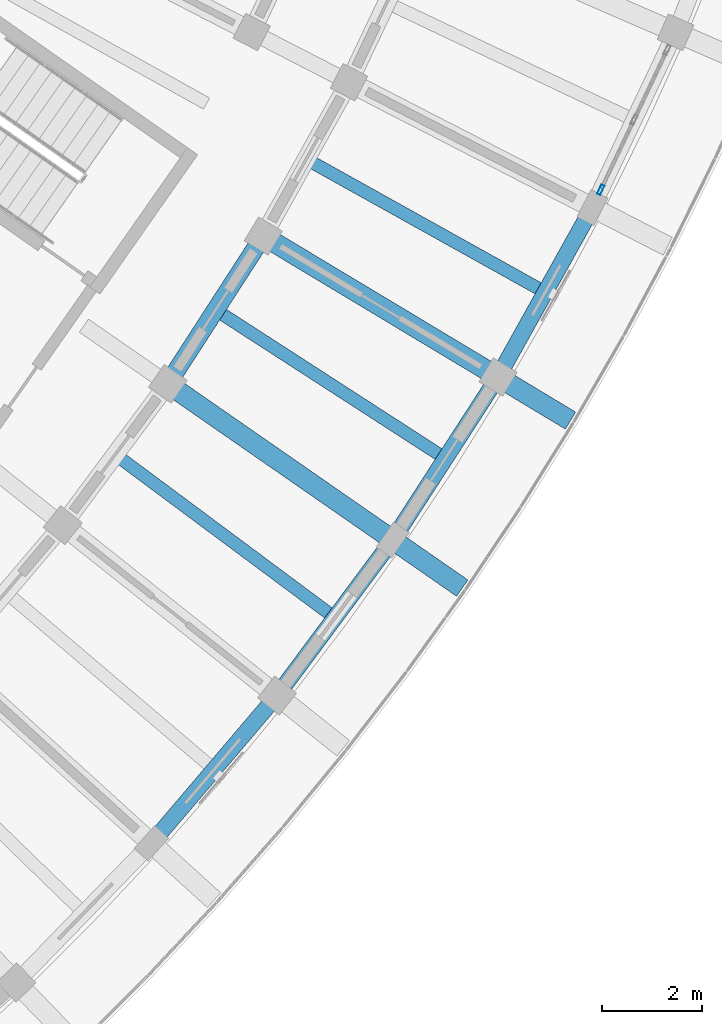
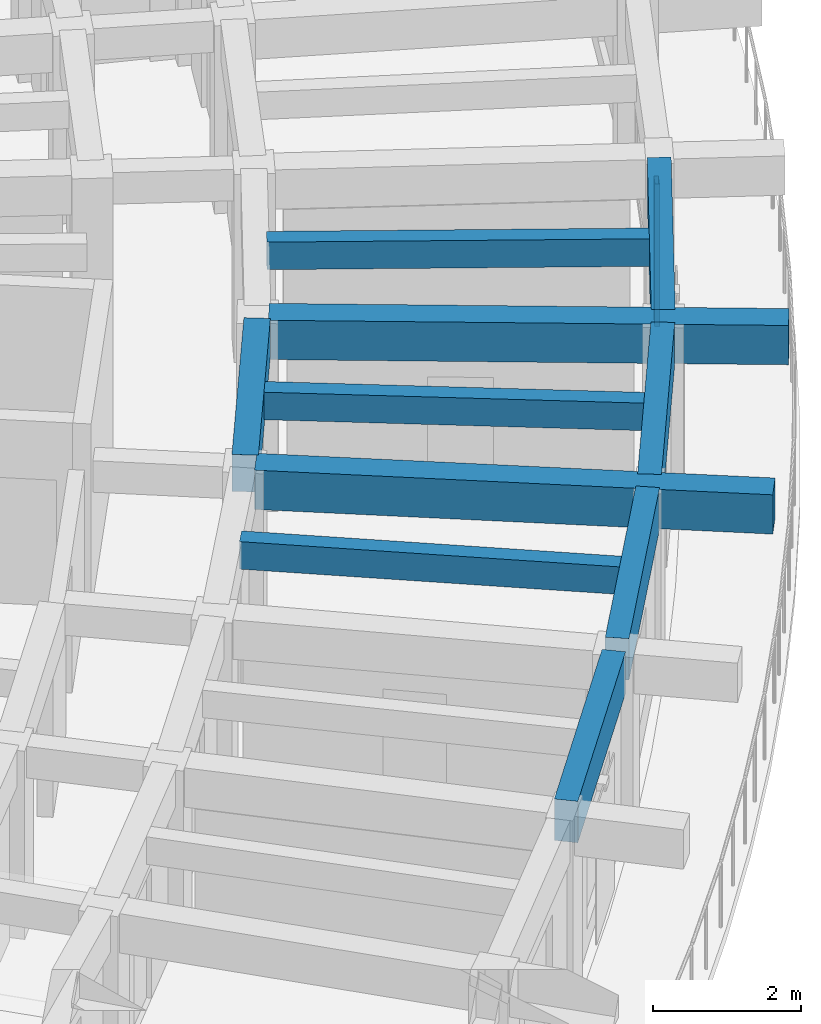
# One storey, part 21 of 81: 10 beams, 1 member, 1 element without a shape of its own.
"""IFC4 building model written with IfcOpenShell, lengths in metres."""

from ifc_helpers import new_model, si_unit, direction, frame, origin, origin_2d, place, context, subcontext, project, spatial, rectangle, hollow_rectangle, extrude, material, material_profile, profile_set, type_object, element, aggregate, save


model = new_model("IFC4")

# Units and contexts
model_context = context("Model", 3, precision=1e-05, world=origin(), true_north=direction((0.0, 1.0)))
body_context = subcontext(model_context, "Body", "Model", "MODEL_VIEW")
ifc_project = project(units=[si_unit("LENGTHUNIT", "METRE"), si_unit("AREAUNIT", "SQUARE_METRE"), si_unit("VOLUMEUNIT", "CUBIC_METRE"), si_unit("PLANEANGLEUNIT", "RADIAN"), si_unit("MASSUNIT", "GRAM", prefix="KILO")], contexts=[model_context])

# Site, building, storey
site_placement = place(None, origin())
site = spatial("IfcSite", under=ifc_project, at=site_placement, CompositionType="ELEMENT")
building_placement = place(site_placement, origin())
building = spatial("IfcBuilding", under=site, at=building_placement, Name="Tanwirah Colonnade Gardens", CompositionType="ELEMENT")
storey_placement = place(building_placement, frame((0.0, 0.0, 18.919921875)))
storey = spatial("IfcBuildingStorey", under=building, at=storey_placement, Name="L05", CompositionType="ELEMENT", Elevation=18.919921875)

# Beams
ifc_material_1 = material(Name="Precast concrete C40/50", Category="concrete")
ifc_material_profile_1 = material_profile(ifc_material_1, rectangle(XDim=0.360107421875, YDim=0.610107421875, at=origin_2d()), Name="PC-BM 360x610")
ifc_profile_set_1 = profile_set([ifc_material_profile_1], Name="Precast concrete C40/50")
beam_type_1 = type_object("IfcBeamType", Name="BM-PC300", PredefinedType="BEAM", material=ifc_profile_set_1)
beam_1_placement = place(storey_placement, frame((165.491455078125, 33.817626953125, 2.80517578125), z_axis=(0.542825891173, 0.839845254718, 0.0), x_axis=(-0.839845254718, 0.542825891173, 0.0)))
element("IfcBeam", 1, at=beam_1_placement, inside=storey, type_object=beam_type_1, Name="Block D L05 Circumferential Beam 11-R2", PredefinedType="BEAM", context=body_context, shape_type="SweptSolid", body=[
    extrude(rectangle(XDim=0.360107421875, YDim=0.610107421875, at=origin_2d()), origin(), (0.0, 0.0, 1.0), 3.23681640625),
])
ifc_material_2 = material(Name="Precast concrete C45/55", Category="concrete")
ifc_material_profile_2 = material_profile(ifc_material_2, rectangle(XDim=0.39990234375, YDim=0.64990234375, at=origin_2d()), Name="PC-BM 400x650")
ifc_profile_set_2 = profile_set([ifc_material_profile_2], Name="Precast concrete C45/55")
beam_type_2 = type_object("IfcBeamType", Name="BM-PC400", PredefinedType="BEAM", material=ifc_profile_set_2)
for number, where, z_axis, x_axis, name in (
    (2, (165.533203125, 33.606201171875, 2.78515625), (0.821647028495, -0.569996632066, 0.0), (0.569996632066, 0.821647028495, 0.0), "Block D L05 Outer Radial Precast Girder 11"),
    (3, (167.45849609375, 36.5849609375, 2.78515625), (0.857159687729, -0.515050744812, 0.0), (0.515050744812, 0.857159687729, 0.0), "Block D L05 Outer Radial Precast Girder 12"),
):
    element("IfcBeam", number, at=place(storey_placement, frame(where, z_axis=z_axis, x_axis=x_axis)), inside=storey, type_object=beam_type_2, Name=name, PredefinedType="BEAM", context=body_context, shape_type="SweptSolid", body=[
        extrude(rectangle(XDim=0.39990234375, YDim=0.64990234375, at=origin_2d()), origin(), (0.0, 0.0, 1.0), 7.050048828125),
    ])

# Curtain wall, member
ifc_material_3 = material(Name="Bronze-anodised aluminium and solar-control low-E glass", Category="aluminium")
curtain_wall_type = type_object("IfcCurtainWallType", Name="CW-LOB", PredefinedType="NOTDEFINED", material=ifc_material_3)
curtain_wall_placement = place(storey_placement, origin())
curtain_wall = element("IfcCurtainWall", 4, at=curtain_wall_placement, inside=storey, type_object=curtain_wall_type, Name="Curtain Wall CW-D-L05-OUT-13", PredefinedType="NOTDEFINED")
ifc_material_4 = material(Name="Bronze-anodised aluminium", Category="aluminium")
ifc_material_profile_3 = material_profile(ifc_material_4, hollow_rectangle(XDim=0.070068359375, YDim=0.199951171875, WallThickness=0.00390625, at=origin_2d()), Name="CW-MUL 70x200x4")
ifc_profile_set_3 = profile_set([ifc_material_profile_3], Name="Bronze-anodised aluminium")
member_type = type_object("IfcMemberType", Name="CWM-70x200", PredefinedType="MULLION", material=ifc_profile_set_3)
member_placement = place(storey_placement, frame((174.1103515625, 37.590576171875, 0.0), z_axis=(0.0, 0.0, 1.0), x_axis=(-0.903522749404, 0.428540128004, 0.0)))
member = element("IfcMember", 5, at=member_placement, type_object=member_type, Name="CW-LOB mullion 1", PredefinedType="MULLION", context=body_context, shape_type="SweptSolid", body=[
    extrude(hollow_rectangle(XDim=0.070068359375, YDim=0.199951171875, WallThickness=0.00390625, at=origin_2d()), origin(), (0.0, 0.0, 1.0), 2.35498046875),
])
aggregate(curtain_wall, [member])

# Beams
ifc_material_profile_4 = material_profile(ifc_material_1, rectangle(XDim=0.2548828125, YDim=0.455078125, at=origin_2d()), Name="PC-JST 255x455")
ifc_profile_set_4 = profile_set([ifc_material_profile_4], Name="Precast concrete C40/50")
beam_type_3 = type_object("IfcBeamType", Name="JST-PC240", PredefinedType="JOIST", material=ifc_profile_set_4)
for number, where, z_axis, x_axis, name in (
    (6, (164.474609375, 32.18359375, 2.882568359375), (0.802560347737, -0.596570941499, 0.0), (0.596570941499, 0.802560347737, 0.0), "Block D L05 Precast Floor Joist 10"),
    (7, (166.4951171875, 35.09619140625, 2.882568359375), (0.839842770955, -0.542829733963, 0.0), (0.542829733963, 0.839842770955, 0.0), "Block D L05 Precast Floor Joist 11"),
    (8, (168.32080078125, 38.134521484375, 2.882568359375), (0.87356769437, -0.486702664214, 0.0), (0.486702664214, 0.87356769437, 0.0), "Block D L05 Precast Floor Joist 12"),
):
    element("IfcBeam", number, at=place(storey_placement, frame(where, z_axis=z_axis, x_axis=x_axis)), inside=storey, type_object=beam_type_3, Name=name, PredefinedType="JOIST", context=body_context, shape_type="SweptSolid", body=[
        extrude(rectangle(XDim=0.2548828125, YDim=0.455078125, at=origin_2d()), origin(), (0.0, 0.0, 1.0), 5.260009765625),
    ])
ifc_material_profile_5 = material_profile(ifc_material_1, rectangle(XDim=0.324951171875, YDim=0.68505859375, at=origin_2d()), Name="PC-SP 325x685")
ifc_profile_set_5 = profile_set([ifc_material_profile_5], Name="Precast concrete C40/50")
beam_type_4 = type_object("IfcBeamType", Name="SP-PC260", PredefinedType="SPANDREL", material=ifc_profile_set_5)
beam_2_placement = place(storey_placement, frame((165.17724609375, 24.574951171875, 2.767578125), z_axis=(0.647784367984, 0.76182374116, 0.0), x_axis=(-0.76182374116, 0.647784367984, 0.0)))
element("IfcBeam", 9, at=beam_2_placement, inside=storey, type_object=beam_type_4, Name="Block D L05 Circumferential Beam 9-R3", PredefinedType="SPANDREL", context=body_context, shape_type="SweptSolid", body=[
    extrude(rectangle(XDim=0.324951171875, YDim=0.68505859375, at=origin_2d()), origin(), (0.0, 0.0, 1.0), 3.5966796875),
])
for number, where, z_axis, x_axis, name in (
    (10, (167.69384765625, 27.549560546875, 2.767578125), (0.596562665898, 0.802566499212, 0.0), (-0.802566499212, 0.596562665898, 0.0), "Block D L05 Circumferential Beam 10-R3"),
    (11, (170.010498046875, 30.6826171875, 2.767578125), (0.542786838894, 0.839870494495, 0.0), (-0.839870494495, 0.542786838894, 0.0), "Block D L05 Circumferential Beam 11-R3"),
):
    element("IfcBeam", number, at=place(storey_placement, frame(where, z_axis=z_axis, x_axis=x_axis)), inside=storey, type_object=beam_type_4, Name=name, PredefinedType="SPANDREL", context=body_context, shape_type="SweptSolid", body=[
        extrude(rectangle(XDim=0.324951171875, YDim=0.68505859375, at=origin_2d()), origin(), (0.0, 0.0, 1.0), 3.596923828125),
    ])
beam_3_placement = place(storey_placement, frame((172.117431640625, 33.96044921875, 2.767578125), z_axis=(0.486679958674, 0.87358034423, 0.0), x_axis=(-0.87358034423, 0.486679958674, 0.0)))
element("IfcBeam", 12, at=beam_3_placement, inside=storey, type_object=beam_type_4, Name="Block D L05 Circumferential Beam 12-R3", PredefinedType="SPANDREL", context=body_context, shape_type="SweptSolid", body=[
    extrude(rectangle(XDim=0.324951171875, YDim=0.68505859375, at=origin_2d()), origin(), (0.0, 0.0, 1.0), 3.5966796875),
])

save(model, "model.ifc")
